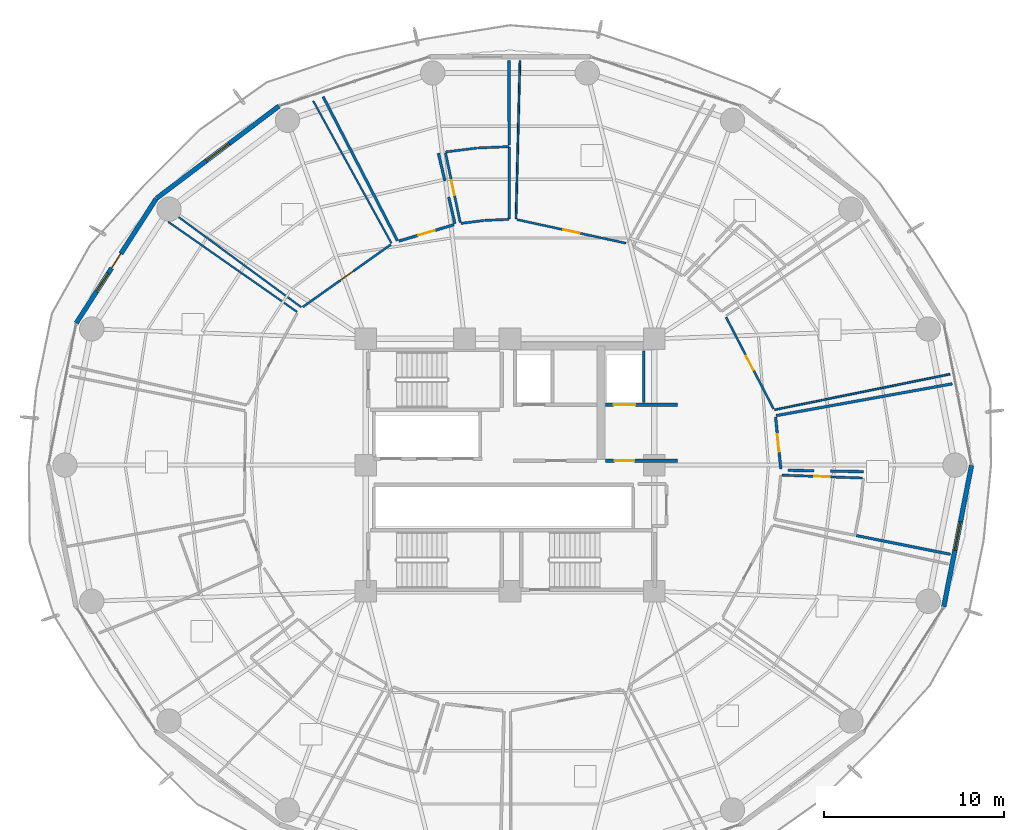
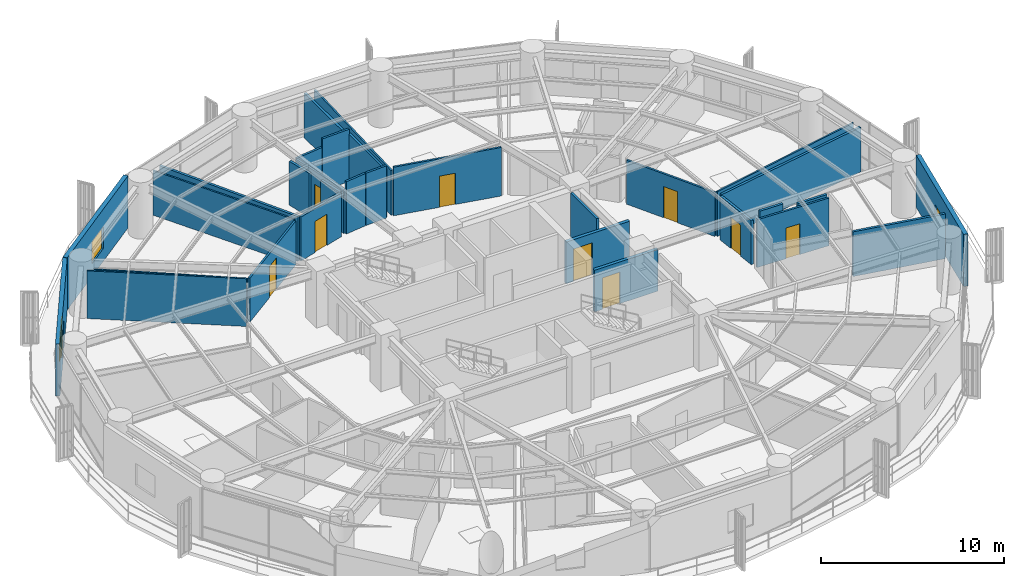
# One storey, part 31 of 35: 31 walls, 10 doors, 3 windows, 13 openings.
"""IFC4 building model written with IfcOpenShell, lengths in metres."""

from ifc_helpers import new_model, si_unit, direction, frame, frame_2d, origin, place, context, subcontext, project, spatial, rectangle, extrude, material, layer, layer_set, type_object, element, fill, save


model = new_model("IFC4")

# Units and contexts
model_context = context("Model", 3, precision=1e-05, world=origin(), true_north=direction((0.0, 1.0)))
body_context = subcontext(model_context, "Body", "Model", "MODEL_VIEW")
ifc_project = project(units=[si_unit("LENGTHUNIT", "METRE"), si_unit("AREAUNIT", "SQUARE_METRE"), si_unit("VOLUMEUNIT", "CUBIC_METRE"), si_unit("PLANEANGLEUNIT", "RADIAN"), si_unit("MASSUNIT", "GRAM", prefix="KILO")], contexts=[model_context])

# Site, building, storey
site_placement = place(None, origin())
site = spatial("IfcSite", under=ifc_project, at=site_placement, CompositionType="ELEMENT")
building_placement = place(site_placement, origin())
building = spatial("IfcBuilding", under=site, at=building_placement, Name="Kelanora Arch Commons", CompositionType="ELEMENT")
storey_placement = place(building_placement, frame((0.0, 0.0, 121.35009765625)))
storey = spatial("IfcBuildingStorey", under=building, at=storey_placement, Name="L31", CompositionType="ELEMENT", Elevation=121.35009765625)

# Wall
ifc_material_1 = material(Name="Autoclaved aerated concrete blockwork with fire plaster", Category="masonry")
ifc_layer_1 = layer(ifc_material_1, 0.14990234375)
ifc_layer_set_1 = layer_set([ifc_layer_1], Name="Autoclaved aerated concrete blockwork with fire plaster")
wall_type_1 = type_object("IfcWallType", Name="W-COMP-150", PredefinedType="PARTITIONING", material=ifc_layer_set_1)
wall_1_placement = place(storey_placement, frame((81.419921875, 61.47998046875, 0.0), z_axis=(0.0, 0.0, 1.0), x_axis=(0.0, 1.0, 0.0)))
element("IfcWall", 1, at=wall_1_placement, inside=storey, type_object=wall_type_1, Name="Firefighting Lift 2 East Shaft Wall L31", PredefinedType="PARTITIONING", context=body_context, shape_type="SweptSolid", body=[
    extrude(rectangle(XDim=2.840087890625, YDim=0.14990234375, at=frame_2d((1.419921875, 0.0))), origin(), (0.0, 0.0, 1.0), 3.47998046875),
])

# Wall, opening, door
wall_2_placement = place(storey_placement, frame((70.900390625, 71.3310546875, 0.0), z_axis=(0.0, 0.0, 1.0), x_axis=(-0.958905255717, -0.283726471373, 0.0)))
wall_2 = element("IfcWall", 2, at=wall_2_placement, inside=storey, type_object=wall_type_1, Name="Co-Living Studio L31-03 Entry Partition", PredefinedType="PARTITIONING", context=body_context, shape_type="SweptSolid", body=[
    extrude(rectangle(XDim=3.193115234375, YDim=0.14990234375, at=frame_2d((1.5966796875, 0.0))), origin(), (0.0, 0.0, 1.0), 2.9248046875),
])
opening_1_placement = place(wall_2_placement, frame((1.1220703125, 0.0, 0.0)))
opening_1 = element("IfcOpeningElement", 3, at=opening_1_placement, cuts=wall_2, Name="Opening D-CLU1", PredefinedType="OPENING", context=body_context, shape_type="SweptSolid", body=[
    extrude(rectangle(XDim=0.949951171875, YDim=2.080078125, at=frame_2d((0.47509765625, 1.0400390625))), frame((0.0, 0.0849609375, 0.0), z_axis=(0.0, -1.0, 0.0), x_axis=(1.0, 0.0, 0.0)), (0.0, 0.0, 1.0), 0.169921875),
])
ifc_material_2 = material(Name="Solid-core acoustic timber cluster entry fire door", Category="wood")
door_type_1 = type_object("IfcDoorType", Name="D-CLU-95", OperationType="NOTDEFINED", PredefinedType="DOOR", material=ifc_material_2)
door_1_placement = place(opening_1_placement, origin())
door_1 = element("IfcDoor", 4, at=door_1_placement, inside=storey, type_object=door_type_1, Name="Co-Living Studio L31-03 Door", OperationType="SINGLE_SWING_RIGHT", OverallHeight=2.080078125, OverallWidth=0.949951171875, PredefinedType="DOOR", context=body_context, shape_type="SweptSolid", body=[
    extrude(rectangle(XDim=0.949951171875, YDim=2.080078125, at=frame_2d((0.47509765625, 1.0400390625))), frame((0.0, 0.02490234375, 0.0), z_axis=(0.0, -1.0, 0.0), x_axis=(1.0, 0.0, 0.0)), (0.0, 0.0, 1.0), 0.050048828125),
])
fill(opening_1, door_1)

wall_3_placement = place(storey_placement, frame((89.02099609375, 57.77880859375, 0.0), z_axis=(0.0, 0.0, 1.0), x_axis=(-0.099902017985, 0.994997279797, 0.0)))
wall_3 = element("IfcWall", 5, at=wall_3_placement, inside=storey, type_object=wall_type_1, Name="Co-Living Studio L31-13 Entry Partition", PredefinedType="PARTITIONING", context=body_context, shape_type="SweptSolid", body=[
    extrude(rectangle(XDim=2.9130859375, YDim=0.14990234375, at=frame_2d((1.45654296875, 0.0))), origin(), (0.0, 0.0, 1.0), 2.9248046875),
])
opening_2_placement = place(wall_3_placement, frame((0.98193359375, 0.0, 0.0)))
opening_2 = element("IfcOpeningElement", 6, at=opening_2_placement, cuts=wall_3, Name="Opening D-CLU1", PredefinedType="OPENING", context=body_context, shape_type="SweptSolid", body=[
    extrude(rectangle(XDim=0.949951171875, YDim=2.080078125, at=frame_2d((0.47509765625, 1.0400390625))), frame((0.0, 0.0849609375, 0.0), z_axis=(0.0, -1.0, 0.0), x_axis=(1.0, 0.0, 0.0)), (0.0, 0.0, 1.0), 0.169921875),
])
door_2_placement = place(opening_2_placement, origin())
door_2 = element("IfcDoor", 7, at=door_2_placement, inside=storey, type_object=door_type_1, Name="Co-Living Studio L31-13 Door", OperationType="SINGLE_SWING_RIGHT", OverallHeight=2.080078125, OverallWidth=0.949951171875, PredefinedType="DOOR", context=body_context, shape_type="SweptSolid", body=[
    extrude(rectangle(XDim=0.949951171875, YDim=2.080078125, at=frame_2d((0.47509765625, 1.0400390625))), frame((0.0, 0.02490234375, 0.0), z_axis=(0.0, -1.0, 0.0), x_axis=(1.0, 0.0, 0.0)), (0.0, 0.0, 1.0), 0.050048828125),
])
fill(opening_2, door_2)

# Walls
wall_4_placement = place(storey_placement, frame((67.7626953125, 70.443603515625, 0.0), z_axis=(0.0, 0.0, 1.0), x_axis=(-0.458694817529, 0.888593869196, 0.0)))
element("IfcWall", 8, at=wall_4_placement, inside=storey, type_object=wall_type_1, Name="Co-Living Studio L31-03 Enclosure Partition 2", PredefinedType="PARTITIONING", context=body_context, shape_type="SweptSolid", body=[
    extrude(rectangle(XDim=8.987060546875, YDim=0.14990234375, at=frame_2d((4.49365234375, 0.0))), origin(), (0.0, 0.0, 1.0), 2.974853515625),
])
wall_5_placement = place(storey_placement, frame((73.944091796875, 80.43994140625, 0.0), z_axis=(0.0, 0.0, 1.0), x_axis=(0.002493887397, -0.999996890258, 0.0)))
element("IfcWall", 9, at=wall_5_placement, inside=storey, type_object=wall_type_1, Name="Co-Living Studio L31-03 Enclosure Partition 5", PredefinedType="PARTITIONING", context=body_context, shape_type="SweptSolid", body=[
    extrude(rectangle(XDim=4.698974609375, YDim=0.14990234375, at=frame_2d((2.349609375, 0.0))), origin(), (0.0, 0.0, 1.0), 2.974853515625),
])
wall_6_placement = place(storey_placement, frame((70.031005859375, 75.296142578125, 0.0), z_axis=(0.0, 0.0, 1.0), x_axis=(0.228651551475, -0.973508329707, 0.0)))
element("IfcWall", 10, at=wall_6_placement, inside=storey, type_object=wall_type_1, Name="Co-Living Studio L31-03 Enclosure Partition 7", PredefinedType="PARTITIONING", context=body_context, shape_type="SweptSolid", body=[
    extrude(rectangle(XDim=1.5791015625, YDim=0.14990234375, at=frame_2d((0.78955078125, 0.0))), origin(), (0.0, 0.0, 1.0), 2.9248046875),
])
wall_7_placement = place(storey_placement, frame((70.602294921875, 72.86279296875, 0.0), z_axis=(0.0, 0.0, 1.0), x_axis=(0.228680272693, -0.973501583399, 0.0)))
element("IfcWall", 11, at=wall_7_placement, inside=storey, type_object=wall_type_1, Name="Co-Living Studio L31-03 Enclosure Partition 7", PredefinedType="PARTITIONING", context=body_context, shape_type="SweptSolid", body=[
    extrude(rectangle(XDim=1.51611328125, YDim=0.14990234375, at=frame_2d((0.758056640625, 0.0))), origin(), (0.0, 0.0, 1.0), 2.9248046875),
])
wall_8_placement = place(storey_placement, frame((88.763427734375, 60.744140625, 0.0), z_axis=(0.0, 0.0, 1.0), x_axis=(0.984081766615, 0.177716281237, 0.0)))
element("IfcWall", 12, at=wall_8_placement, inside=storey, type_object=wall_type_1, Name="Co-Living Studio L31-13 Enclosure Partition 2", PredefinedType="PARTITIONING", context=body_context, shape_type="SweptSolid", body=[
    extrude(rectangle(XDim=9.924072265625, YDim=0.14990234375, at=frame_2d((4.9619140625, 0.0))), origin(), (0.0, 0.0, 1.0), 2.974853515625),
])
wall_9_placement = place(storey_placement, frame((98.4248046875, 53.0546875, 0.0), z_axis=(0.0, 0.0, 1.0), x_axis=(-0.980779700981, 0.195118369572, 0.0)))
element("IfcWall", 13, at=wall_9_placement, inside=storey, type_object=wall_type_1, Name="Co-Living Studio L31-13 Enclosure Partition 5", PredefinedType="PARTITIONING", context=body_context, shape_type="SweptSolid", body=[
    extrude(rectangle(XDim=5.31787109375, YDim=0.14990234375, at=frame_2d((2.658935546875, 0.0))), origin(), (0.0, 0.0, 1.0), 2.974853515625),
])
wall_10_placement = place(storey_placement, frame((93.60888671875, 57.6357421875, 0.0), z_axis=(0.0, 0.0, 1.0), x_axis=(-0.999835456222, 0.018140024286, 0.0)))
element("IfcWall", 14, at=wall_10_placement, inside=storey, type_object=wall_type_1, Name="Co-Living Studio L31-13 Enclosure Partition 7", PredefinedType="PARTITIONING", context=body_context, shape_type="SweptSolid", body=[
    extrude(rectangle(XDim=1.830322265625, YDim=0.14990234375, at=frame_2d((0.9150390625, 0.0))), origin(), (0.0, 0.0, 1.0), 3.1748046875),
])
wall_11_placement = place(storey_placement, frame((90.85888671875, 57.685791015625, 0.0), z_axis=(0.0, 0.0, 1.0), x_axis=(-0.999835980019, 0.018111130838, 0.0)))
element("IfcWall", 15, at=wall_11_placement, inside=storey, type_object=wall_type_1, Name="Co-Living Studio L31-13 Enclosure Partition 7", PredefinedType="PARTITIONING", context=body_context, shape_type="SweptSolid", body=[
    extrude(rectangle(XDim=1.4423828125, YDim=0.14990234375, at=frame_2d((0.72119140625, 0.0))), origin(), (0.0, 0.0, 1.0), 3.47998046875),
])

# Wall, opening, window
ifc_material_3 = material(Name="Precast concrete C40/50 with terracotta rainscreen", Category="masonry")
ifc_layer_2 = layer(ifc_material_3, 0.260009765625)
ifc_layer_set_2 = layer_set([ifc_layer_2], Name="Precast concrete C40/50 with terracotta rainscreen")
wall_type_2 = type_object("IfcWallType", Name="W-EXT-TC", PredefinedType="SOLIDWALL", material=ifc_layer_set_2)
wall_12_placement = place(storey_placement, frame((61.18798828125, 77.90966796875, 0.0), z_axis=(0.0, 0.0, 1.0), x_axis=(-0.798501507879, -0.601992808857, 0.0)))
wall_12 = element("IfcWall", 16, at=wall_12_placement, inside=storey, type_object=wall_type_2, Name="Terracotta Exterior Wall L31-B06", PredefinedType="SOLIDWALL", context=body_context, shape_type="SweptSolid", body=[
    extrude(rectangle(XDim=8.499267578125, YDim=0.260009765625, at=frame_2d((4.24951171875, 0.0))), origin(), (0.0, 0.0, 1.0), 3.474853515625),
])
opening_3_placement = place(wall_12_placement, frame((3.449951171875, 0.0, 0.85009765625)))
opening_3 = element("IfcOpeningElement", 17, at=opening_3_placement, cuts=wall_12, Name="Opening WN-01", PredefinedType="OPENING", context=body_context, shape_type="SweptSolid", body=[
    extrude(rectangle(XDim=1.60009765625, YDim=1.449951171875, at=frame_2d((0.800048828125, 0.72509765625))), frame((0.0, 0.14013671875, 0.0), z_axis=(0.0, -1.0, 0.0), x_axis=(1.0, 0.0, 0.0)), (0.0, 0.0, 1.0), 0.280029296875),
])
ifc_material_4 = material(Name="Terracotta-anodised aluminium frame with operable low-E glazing", Category="masonry")
window_type_1 = type_object("IfcWindowType", Name="WIN-CL-18", PartitioningType="DOUBLE_PANEL_VERTICAL", PredefinedType="WINDOW", material=ifc_material_4)
window_1_placement = place(opening_3_placement, origin())
window_1 = element("IfcWindow", 18, at=window_1_placement, inside=storey, type_object=window_type_1, Name="Co-Living Operable Window L31-B06", OverallHeight=1.449951171875, OverallWidth=1.60009765625, PartitioningType="SINGLE_PANEL", PredefinedType="WINDOW", context=body_context, shape_type="SweptSolid", body=[
    extrude(rectangle(XDim=1.60009765625, YDim=1.449951171875, at=frame_2d((0.800048828125, 0.72509765625))), frame((0.0, 0.030029296875, 0.0), z_axis=(0.0, -1.0, 0.0), x_axis=(1.0, 0.0, 0.0)), (0.0, 0.0, 1.0), 0.06005859375),
])
fill(opening_3, window_1)

# Wall, openings, door, window
wall_13_placement = place(storey_placement, frame((54.381103515625, 72.771484375, 0.0), z_axis=(0.0, 0.0, 1.0), x_axis=(-0.540620528459, -0.841266571432, 0.0)))
wall_13 = element("IfcWall", 19, at=wall_13_placement, inside=storey, type_object=wall_type_2, Name="Terracotta Exterior Wall L31-B07", PredefinedType="SOLIDWALL", context=body_context, shape_type="SweptSolid", body=[
    extrude(rectangle(XDim=8.19287109375, YDim=0.260009765625, at=frame_2d((4.096435546875, 0.0))), origin(), (0.0, 0.0, 1.0), 3.474853515625),
])
opening_4_placement = place(wall_13_placement, frame((3.62109375, 0.0, 0.0)))
opening_4 = element("IfcOpeningElement", 20, at=opening_4_placement, cuts=wall_13, Name="Opening DB-01", PredefinedType="OPENING", context=body_context, shape_type="SweptSolid", body=[
    extrude(rectangle(XDim=0.949951171875, YDim=2.10009765625, at=frame_2d((0.47509765625, 1.050048828125))), frame((0.0, 0.14013671875, 0.0), z_axis=(0.0, -1.0, 0.0), x_axis=(1.0, 0.0, 0.0)), (0.0, 0.0, 1.0), 0.280029296875),
])
opening_5_placement = place(wall_13_placement, frame((4.9208984375, 0.0, 0.85009765625)))
opening_5 = element("IfcOpeningElement", 21, at=opening_5_placement, cuts=wall_13, Name="Opening WN-02", PredefinedType="OPENING", context=body_context, shape_type="SweptSolid", body=[
    extrude(rectangle(XDim=1.199951171875, YDim=1.449951171875, at=frame_2d((0.60009765625, 0.72509765625))), frame((0.0, 0.14013671875, 0.0), z_axis=(0.0, -1.0, 0.0), x_axis=(1.0, 0.0, 0.0)), (0.0, 0.0, 1.0), 0.280029296875),
])
ifc_material_5 = material(Name="Terracotta-aluminium thermally broken glazed balcony door", Category="masonry")
door_type_2 = type_object("IfcDoorType", Name="D-BAL-10", OperationType="NOTDEFINED", PredefinedType="DOOR", material=ifc_material_5)
door_3_placement = place(opening_4_placement, frame((0.949951171875, 0.0, 0.0), z_axis=(0.0, 0.0, 1.0), x_axis=(-1.0, 0.0, 0.0)))
door_3 = element("IfcDoor", 22, at=door_3_placement, inside=storey, type_object=door_type_2, Name="Wave Balcony Door L31-B07", OperationType="SINGLE_SWING_LEFT", OverallHeight=2.10009765625, OverallWidth=0.949951171875, PredefinedType="DOOR", context=body_context, shape_type="SweptSolid", body=[
    extrude(rectangle(XDim=0.949951171875, YDim=2.10009765625, at=frame_2d((0.47509765625, 1.050048828125))), frame((0.0, 0.02490234375, 0.0), z_axis=(0.0, -1.0, 0.0), x_axis=(1.0, 0.0, 0.0)), (0.0, 0.0, 1.0), 0.050048828125),
])
fill(opening_4, door_3)
ifc_material_6 = material(Name="Terracotta-anodised aluminium frame with operable awning sash", Category="masonry")
window_type_2 = type_object("IfcWindowType", Name="WIN-CL-12", PartitioningType="SINGLE_PANEL", PredefinedType="WINDOW", material=ifc_material_6)
window_2_placement = place(opening_5_placement, origin())
window_2 = element("IfcWindow", 23, at=window_2_placement, inside=storey, type_object=window_type_2, Name="Co-Living Operable Window L31-B07", OverallHeight=1.449951171875, OverallWidth=1.199951171875, PartitioningType="SINGLE_PANEL", PredefinedType="WINDOW", context=body_context, shape_type="SweptSolid", body=[
    extrude(rectangle(XDim=1.199951171875, YDim=1.449951171875, at=frame_2d((0.60009765625, 0.72509765625))), frame((0.0, 0.030029296875, 0.0), z_axis=(0.0, -1.0, 0.0), x_axis=(1.0, 0.0, 0.0)), (0.0, 0.0, 1.0), 0.06005859375),
])
fill(opening_5, window_2)

# Wall, opening, window
wall_14_placement = place(storey_placement, frame((98.05908203125, 50.148193359375, 0.0), z_axis=(0.0, 0.0, 1.0), x_axis=(0.192581843632, 0.981280914674, 0.0)))
wall_14 = element("IfcWall", 24, at=wall_14_placement, inside=storey, type_object=wall_type_2, Name="Terracotta Exterior Wall L31-B17", PredefinedType="SOLIDWALL", context=body_context, shape_type="SweptSolid", body=[
    extrude(rectangle(XDim=7.986572265625, YDim=0.260009765625, at=frame_2d((3.9931640625, 0.0))), origin(), (0.0, 0.0, 1.0), 3.474853515625),
])
opening_6_placement = place(wall_14_placement, frame((3.193115234375, 0.0, 0.85009765625)))
opening_6 = element("IfcOpeningElement", 25, at=opening_6_placement, cuts=wall_14, Name="Opening WN-01", PredefinedType="OPENING", context=body_context, shape_type="SweptSolid", body=[
    extrude(rectangle(XDim=1.60009765625, YDim=1.449951171875, at=frame_2d((0.800048828125, 0.72509765625))), frame((0.0, 0.14013671875, 0.0), z_axis=(0.0, -1.0, 0.0), x_axis=(1.0, 0.0, 0.0)), (0.0, 0.0, 1.0), 0.280029296875),
])
window_3_placement = place(opening_6_placement, origin())
window_3 = element("IfcWindow", 26, at=window_3_placement, inside=storey, type_object=window_type_1, Name="Co-Living Operable Window L31-B17", OverallHeight=1.449951171875, OverallWidth=1.60009765625, PartitioningType="SINGLE_PANEL", PredefinedType="WINDOW", context=body_context, shape_type="SweptSolid", body=[
    extrude(rectangle(XDim=1.60009765625, YDim=1.449951171875, at=frame_2d((0.800048828125, 0.72509765625))), frame((0.0, 0.030029296875, 0.0), z_axis=(0.0, -1.0, 0.0), x_axis=(1.0, 0.0, 0.0)), (0.0, 0.0, 1.0), 0.06005859375),
])
fill(opening_6, window_3)

# Wall, opening, door
ifc_material_7 = material(Name="Concrete C40/50", Category="concrete")
ifc_layer_3 = layer(ifc_material_7, 0.199951171875)
ifc_layer_set_3 = layer_set([ifc_layer_3], Name="Concrete C40/50")
wall_type_3 = type_object("IfcWallType", Name="W-FFL-200", PredefinedType="SOLIDWALL", material=ifc_layer_set_3)
wall_15_placement = place(storey_placement, frame((79.300048828125, 61.35009765625, 0.0), z_axis=(0.0, 0.0, 1.0), x_axis=(1.0, 0.0, 0.0)))
wall_15 = element("IfcWall", 27, at=wall_15_placement, inside=storey, type_object=wall_type_3, Name="Firefighting Lift 2 Shaft Front L31", PredefinedType="SOLIDWALL", context=body_context, shape_type="SweptSolid", body=[
    extrude(rectangle(XDim=4.0, YDim=0.199951171875, at=frame_2d((2.0, 0.0))), origin(), (0.0, 0.0, 1.0), 2.77490234375),
])
opening_7_placement = place(wall_15_placement, frame((0.449951171875, 0.0, 0.0)))
opening_7 = element("IfcOpeningElement", 28, at=opening_7_placement, cuts=wall_15, Name="Opening LD-FF", PredefinedType="OPENING", context=body_context, shape_type="SweptSolid", body=[
    extrude(rectangle(XDim=1.199951171875, YDim=2.14990234375, at=frame_2d((0.60009765625, 1.074951171875))), frame((0.0, 0.10986328125, 0.0), z_axis=(0.0, -1.0, 0.0), x_axis=(1.0, 0.0, 0.0)), (0.0, 0.0, 1.0), 0.219970703125),
])
ifc_material_8 = material(Name="Fire-rated firefighters lift sliding landing door")
door_type_3 = type_object("IfcDoorType", Name="D-LIFT-FF", OperationType="NOTDEFINED", PredefinedType="DOOR", material=ifc_material_8)
door_4_placement = place(opening_7_placement, origin())
door_4 = element("IfcDoor", 29, at=door_4_placement, inside=storey, type_object=door_type_3, Name="Firefighting Lift LF-FF2 Landing Door L31", OperationType="DOUBLE_DOOR_SLIDING", OverallHeight=2.14990234375, OverallWidth=1.199951171875, PredefinedType="DOOR", context=body_context, shape_type="SweptSolid", body=[
    extrude(rectangle(XDim=1.199951171875, YDim=2.14990234375, at=frame_2d((0.60009765625, 1.074951171875))), frame((0.0, 0.02490234375, 0.0), z_axis=(0.0, -1.0, 0.0), x_axis=(1.0, 0.0, 0.0)), (0.0, 0.0, 1.0), 0.050048828125),
])
fill(opening_7, door_4)

wall_16_placement = place(storey_placement, frame((79.300048828125, 58.25, 0.0), z_axis=(0.0, 0.0, 1.0), x_axis=(1.0, 0.0, 0.0)))
wall_16 = element("IfcWall", 30, at=wall_16_placement, inside=storey, type_object=wall_type_3, Name="Firefighting Lobby 2 Enclosure Wall L31", PredefinedType="SOLIDWALL", context=body_context, shape_type="SweptSolid", body=[
    extrude(rectangle(XDim=4.0, YDim=0.199951171875, at=frame_2d((2.0, 0.0))), origin(), (0.0, 0.0, 1.0), 2.77490234375),
])
opening_8_placement = place(wall_16_placement, frame((0.5, 0.0, 0.0)))
opening_8 = element("IfcOpeningElement", 31, at=opening_8_placement, cuts=wall_16, Name="Opening D-FFL1", PredefinedType="OPENING", context=body_context, shape_type="SweptSolid", body=[
    extrude(rectangle(XDim=1.10009765625, YDim=2.10009765625, at=frame_2d((0.550048828125, 1.050048828125))), frame((0.0, 0.10986328125, 0.0), z_axis=(0.0, -1.0, 0.0), x_axis=(1.0, 0.0, 0.0)), (0.0, 0.0, 1.0), 0.219970703125),
])
ifc_material_9 = material(Name="Smoke-sealed firefighting lobby fire door")
door_type_4 = type_object("IfcDoorType", Name="D-FFL-110", OperationType="NOTDEFINED", PredefinedType="DOOR", material=ifc_material_9)
door_5_placement = place(opening_8_placement, frame((1.10009765625, 0.0, 0.0), z_axis=(0.0, 0.0, 1.0), x_axis=(-1.0, 0.0, 0.0)))
door_5 = element("IfcDoor", 32, at=door_5_placement, inside=storey, type_object=door_type_4, Name="Firefighting Lobby 2 Door L31", OperationType="SINGLE_SWING_RIGHT", OverallHeight=2.10009765625, OverallWidth=1.10009765625, PredefinedType="DOOR", context=body_context, shape_type="SweptSolid", body=[
    extrude(rectangle(XDim=1.10009765625, YDim=2.10009765625, at=frame_2d((0.550048828125, 1.050048828125))), frame((0.0, 0.02490234375, 0.0), z_axis=(0.0, -1.0, 0.0), x_axis=(1.0, 0.0, 0.0)), (0.0, 0.0, 1.0), 0.050048828125),
])
fill(opening_8, door_5)

# Walls
ifc_material_10 = material(Name="Lightweight fire-rated acoustic stud partition")
ifc_layer_4 = layer(ifc_material_10, 0.10009765625)
ifc_layer_set_4 = layer_set([ifc_layer_4], Name="Lightweight fire-rated acoustic stud partition")
wall_type_4 = type_object("IfcWallType", Name="W-PART-100", PredefinedType="PARTITIONING", material=ifc_layer_set_4)
wall_17_placement = place(storey_placement, frame((74.333984375, 71.6669921875, 0.0), z_axis=(0.0, 0.0, 1.0), x_axis=(0.025193894125, 0.999682583473, 0.0)))
element("IfcWall", 33, at=wall_17_placement, inside=storey, type_object=wall_type_4, Name="Communal Dining and Social Hall L31-02 Enclosure Partition 2", PredefinedType="PARTITIONING", context=body_context, shape_type="SweptSolid", body=[
    extrude(rectangle(XDim=8.769775390625, YDim=0.10009765625, at=frame_2d((4.384765625, 0.0))), origin(), (0.0, 0.0, 1.0), 2.974853515625),
])
wall_18_placement = place(storey_placement, frame((62.427734375, 66.756591796875, 0.0), z_axis=(0.0, 0.0, 1.0), x_axis=(-0.805852200235, 0.592116737963, 0.0)))
element("IfcWall", 34, at=wall_18_placement, inside=storey, type_object=wall_type_4, Name="Social Sky Lounge L31-04 Enclosure Partition 2", PredefinedType="PARTITIONING", context=body_context, shape_type="SweptSolid", body=[
    extrude(rectangle(XDim=8.429931640625, YDim=0.10009765625, at=frame_2d((4.21484375, 0.0))), origin(), (0.0, 0.0, 1.0), 2.9248046875),
])
wall_19_placement = place(storey_placement, frame((63.08740234375, 78.197021484375, 0.0), z_axis=(0.0, 0.0, 1.0), x_axis=(0.481837612944, -0.876260529039, 0.0)))
element("IfcWall", 35, at=wall_19_placement, inside=storey, type_object=wall_type_4, Name="Social Sky Lounge L31-04 Enclosure Partition 4", PredefinedType="PARTITIONING", context=body_context, shape_type="SweptSolid", body=[
    extrude(rectangle(XDim=9.010009765625, YDim=0.10009765625, at=frame_2d((4.5048828125, 0.0))), origin(), (0.0, 0.0, 1.0), 2.974853515625),
])
wall_20_placement = place(storey_placement, frame((55.04736328125, 71.494384765625, 0.0), z_axis=(0.0, 0.0, 1.0), x_axis=(0.8195552972, -0.573000100201, 0.0)))
element("IfcWall", 36, at=wall_20_placement, inside=storey, type_object=wall_type_4, Name="Quiet Seminar Study Room L31-05 Enclosure Partition 4", PredefinedType="PARTITIONING", context=body_context, shape_type="SweptSolid", body=[
    extrude(rectangle(XDim=8.7216796875, YDim=0.10009765625, at=frame_2d((4.36083984375, 0.0))), origin(), (0.0, 0.0, 1.0), 3.1748046875),
])
wall_21_placement = place(storey_placement, frame((98.39990234375, 63.04296875, 0.0), z_axis=(0.0, 0.0, 1.0), x_axis=(-0.980013960975, -0.198928721641, 0.0)))
element("IfcWall", 37, at=wall_21_placement, inside=storey, type_object=wall_type_4, Name="Communal Dining and Social Hall L31-14 Enclosure Partition 4", PredefinedType="PARTITIONING", context=body_context, shape_type="SweptSolid", body=[
    extrude(rectangle(XDim=9.91259765625, YDim=0.10009765625, at=frame_2d((4.956298828125, 0.0))), origin(), (0.0, 0.0, 1.0), 2.974853515625),
])

# Wall, opening, door
ifc_material_11 = material(Name="Acoustic twin-stud fire-rated gypsum partition")
ifc_layer_5 = layer(ifc_material_11, 0.1201171875)
ifc_layer_set_5 = layer_set([ifc_layer_5], Name="Acoustic twin-stud fire-rated gypsum partition")
wall_type_5 = type_object("IfcWallType", Name="W-PART-120", PredefinedType="PARTITIONING", material=ifc_layer_set_5)
wall_22_placement = place(storey_placement, frame((80.432373046875, 70.3056640625, 0.0), z_axis=(0.0, 0.0, 1.0), x_axis=(-0.977331177519, 0.211716247484, 0.0)))
wall_22 = element("IfcWall", 38, at=wall_22_placement, inside=storey, type_object=wall_type_5, Name="Communal Dining and Social Hall L31-02 Entry Partition", PredefinedType="PARTITIONING", context=body_context, shape_type="SweptSolid", body=[
    extrude(rectangle(XDim=6.180908203125, YDim=0.1201171875, at=frame_2d((3.09033203125, 0.0))), origin(), (0.0, 0.0, 1.0), 3.23486328125),
])
opening_9_placement = place(wall_22_placement, frame((2.639892578125, 0.0, 0.0)))
opening_9 = element("IfcOpeningElement", 39, at=opening_9_placement, cuts=wall_22, Name="Opening D-RM1", PredefinedType="OPENING", context=body_context, shape_type="SweptSolid", body=[
    extrude(rectangle(XDim=0.89990234375, YDim=2.080078125, at=frame_2d((0.449951171875, 1.0400390625))), frame((0.0, 0.070068359375, 0.0), z_axis=(0.0, -1.0, 0.0), x_axis=(1.0, 0.0, 0.0)), (0.0, 0.0, 1.0), 0.14013671875),
])
ifc_material_12 = material(Name="Acoustic fire-rated timber study and lounge door", Category="wood")
door_type_5 = type_object("IfcDoorType", Name="D-ROOM-90", OperationType="NOTDEFINED", PredefinedType="DOOR", material=ifc_material_12)
door_6_placement = place(opening_9_placement, origin())
door_6 = element("IfcDoor", 40, at=door_6_placement, inside=storey, type_object=door_type_5, Name="Communal Dining and Social Hall L31-02 Door", OperationType="SINGLE_SWING_RIGHT", OverallHeight=2.080078125, OverallWidth=0.89990234375, PredefinedType="DOOR", context=body_context, shape_type="SweptSolid", body=[
    extrude(rectangle(XDim=0.89990234375, YDim=2.080078125, at=frame_2d((0.449951171875, 1.0400390625))), frame((0.0, 0.02490234375, 0.0), z_axis=(0.0, -1.0, 0.0), x_axis=(1.0, 0.0, 0.0)), (0.0, 0.0, 1.0), 0.050048828125),
])
fill(opening_9, door_6)

wall_23_placement = place(storey_placement, frame((67.39892578125, 70.232421875, 0.0), z_axis=(0.0, 0.0, 1.0), x_axis=(-0.815932399176, -0.578147316846, 0.0)))
wall_23 = element("IfcWall", 41, at=wall_23_placement, inside=storey, type_object=wall_type_5, Name="Social Sky Lounge L31-04 Entry Partition", PredefinedType="PARTITIONING", context=body_context, shape_type="SweptSolid", body=[
    extrude(rectangle(XDim=5.992919921875, YDim=0.1201171875, at=frame_2d((2.99658203125, 0.0))), origin(), (0.0, 0.0, 1.0), 2.9248046875),
])
opening_10_placement = place(wall_23_placement, frame((2.5458984375, 0.0, 0.0)))
opening_10 = element("IfcOpeningElement", 42, at=opening_10_placement, cuts=wall_23, Name="Opening D-RM1", PredefinedType="OPENING", context=body_context, shape_type="SweptSolid", body=[
    extrude(rectangle(XDim=0.89990234375, YDim=2.080078125, at=frame_2d((0.449951171875, 1.0400390625))), frame((0.0, 0.070068359375, 0.0), z_axis=(0.0, -1.0, 0.0), x_axis=(1.0, 0.0, 0.0)), (0.0, 0.0, 1.0), 0.14013671875),
])
door_7_placement = place(opening_10_placement, origin())
door_7 = element("IfcDoor", 43, at=door_7_placement, inside=storey, type_object=door_type_5, Name="Social Sky Lounge L31-04 Door", OperationType="SINGLE_SWING_LEFT", OverallHeight=2.080078125, OverallWidth=0.89990234375, PredefinedType="DOOR", context=body_context, shape_type="SweptSolid", body=[
    extrude(rectangle(XDim=0.89990234375, YDim=2.080078125, at=frame_2d((0.449951171875, 1.0400390625))), frame((0.0, 0.02490234375, 0.0), z_axis=(0.0, -1.0, 0.0), x_axis=(1.0, 0.0, 0.0)), (0.0, 0.0, 1.0), 0.050048828125),
])
fill(opening_10, door_7)

wall_24_placement = place(storey_placement, frame((88.618408203125, 61.1162109375, 0.0), z_axis=(0.0, 0.0, 1.0), x_axis=(-0.459658120373, 0.88809594773, 0.0)))
wall_24 = element("IfcWall", 44, at=wall_24_placement, inside=storey, type_object=wall_type_5, Name="Communal Dining and Social Hall L31-14 Entry Partition", PredefinedType="PARTITIONING", context=body_context, shape_type="SweptSolid", body=[
    extrude(rectangle(XDim=5.73193359375, YDim=0.1201171875, at=frame_2d((2.865966796875, 0.0))), origin(), (0.0, 0.0, 1.0), 2.9248046875),
])
opening_11_placement = place(wall_24_placement, frame((2.416015625, 0.0, 0.0)))
opening_11 = element("IfcOpeningElement", 45, at=opening_11_placement, cuts=wall_24, Name="Opening D-RM1", PredefinedType="OPENING", context=body_context, shape_type="SweptSolid", body=[
    extrude(rectangle(XDim=0.89990234375, YDim=2.080078125, at=frame_2d((0.449951171875, 1.0400390625))), frame((0.0, 0.070068359375, 0.0), z_axis=(0.0, -1.0, 0.0), x_axis=(1.0, 0.0, 0.0)), (0.0, 0.0, 1.0), 0.14013671875),
])
door_8_placement = place(opening_11_placement, origin())
door_8 = element("IfcDoor", 46, at=door_8_placement, inside=storey, type_object=door_type_5, Name="Communal Dining and Social Hall L31-14 Door", OperationType="SINGLE_SWING_LEFT", OverallHeight=2.080078125, OverallWidth=0.89990234375, PredefinedType="DOOR", context=body_context, shape_type="SweptSolid", body=[
    extrude(rectangle(XDim=0.89990234375, YDim=2.080078125, at=frame_2d((0.449951171875, 1.0400390625))), frame((0.0, 0.02490234375, 0.0), z_axis=(0.0, -1.0, 0.0), x_axis=(1.0, 0.0, 0.0)), (0.0, 0.0, 1.0), 0.050048828125),
])
fill(opening_11, door_8)

ifc_material_13 = material(Name="Moisture-resistant fire-rated cement-board plumbing wall")
ifc_layer_6 = layer(ifc_material_13, 0.1298828125)
ifc_layer_set_6 = layer_set([ifc_layer_6], Name="Moisture-resistant fire-rated cement-board plumbing wall")
wall_type_6 = type_object("IfcWallType", Name="W-WET-120", PredefinedType="PLUMBINGWALL", material=ifc_layer_set_6)
wall_25_placement = place(storey_placement, frame((71.24169921875, 71.459716796875, 0.0), z_axis=(0.0, 0.0, 1.0), x_axis=(-0.206652168131, 0.97841447322, 0.0)))
wall_25 = element("IfcWall", 47, at=wall_25_placement, inside=storey, type_object=wall_type_6, Name="En-Suite Shower WC L31-03 Entry Partition", PredefinedType="PLUMBINGWALL", context=body_context, shape_type="SweptSolid", body=[
    extrude(rectangle(XDim=3.9306640625, YDim=0.1298828125, at=frame_2d((1.96533203125, 0.0))), origin(), (0.0, 0.0, 1.0), 2.9248046875),
])
opening_12_placement = place(wall_25_placement, frame((1.534912109375, 0.0, 0.0)))
opening_12 = element("IfcOpeningElement", 48, at=opening_12_placement, cuts=wall_25, Name="Opening D-BT1", PredefinedType="OPENING", context=body_context, shape_type="SweptSolid", body=[
    extrude(rectangle(XDim=0.860107421875, YDim=2.050048828125, at=frame_2d((0.43017578125, 1.02490234375))), frame((0.0, 0.074951171875, 0.0), z_axis=(0.0, -1.0, 0.0), x_axis=(1.0, 0.0, 0.0)), (0.0, 0.0, 1.0), 0.14990234375),
])
ifc_material_14 = material(Name="Moisture-sealed fire-rated accessible bathroom door")
door_type_6 = type_object("IfcDoorType", Name="D-BATH-85", OperationType="NOTDEFINED", PredefinedType="DOOR", material=ifc_material_14)
door_9_placement = place(opening_12_placement, origin())
door_9 = element("IfcDoor", 49, at=door_9_placement, inside=storey, type_object=door_type_6, Name="En-Suite Shower WC L31-03 Door", OperationType="SINGLE_SWING_LEFT", OverallHeight=2.050048828125, OverallWidth=0.860107421875, PredefinedType="DOOR", context=body_context, shape_type="SweptSolid", body=[
    extrude(rectangle(XDim=0.860107421875, YDim=2.050048828125, at=frame_2d((0.43017578125, 1.02490234375))), frame((0.0, 0.02490234375, 0.0), z_axis=(0.0, -1.0, 0.0), x_axis=(1.0, 0.0, 0.0)), (0.0, 0.0, 1.0), 0.050048828125),
])
fill(opening_12, door_9)

wall_26_placement = place(storey_placement, frame((89.077880859375, 57.44384765625, 0.0), z_axis=(0.0, 0.0, 1.0), x_axis=(0.999359574241, -0.035783255492, 0.0)))
wall_26 = element("IfcWall", 50, at=wall_26_placement, inside=storey, type_object=wall_type_6, Name="En-Suite Shower WC L31-13 Entry Partition", PredefinedType="PLUMBINGWALL", context=body_context, shape_type="SweptSolid", body=[
    extrude(rectangle(XDim=4.462158203125, YDim=0.1298828125, at=frame_2d((2.23095703125, 0.0))), origin(), (0.0, 0.0, 1.0), 3.1748046875),
])
opening_13_placement = place(wall_26_placement, frame((1.801025390625, 0.0, 0.0)))
opening_13 = element("IfcOpeningElement", 51, at=opening_13_placement, cuts=wall_26, Name="Opening D-BT1", PredefinedType="OPENING", context=body_context, shape_type="SweptSolid", body=[
    extrude(rectangle(XDim=0.860107421875, YDim=2.050048828125, at=frame_2d((0.43017578125, 1.02490234375))), frame((0.0, 0.074951171875, 0.0), z_axis=(0.0, -1.0, 0.0), x_axis=(1.0, 0.0, 0.0)), (0.0, 0.0, 1.0), 0.14990234375),
])
door_10_placement = place(opening_13_placement, origin())
door_10 = element("IfcDoor", 52, at=door_10_placement, inside=storey, type_object=door_type_6, Name="En-Suite Shower WC L31-13 Door", OperationType="SINGLE_SWING_LEFT", OverallHeight=2.050048828125, OverallWidth=0.860107421875, PredefinedType="DOOR", context=body_context, shape_type="SweptSolid", body=[
    extrude(rectangle(XDim=0.860107421875, YDim=2.050048828125, at=frame_2d((0.43017578125, 1.02490234375))), frame((0.0, 0.02490234375, 0.0), z_axis=(0.0, -1.0, 0.0), x_axis=(1.0, 0.0, 0.0)), (0.0, 0.0, 1.0), 0.050048828125),
])
fill(opening_13, door_10)

# Walls
wall_27_placement = place(storey_placement, frame((73.946044921875, 71.629150390625, 0.0), z_axis=(0.0, 0.0, 1.0), x_axis=(-0.999067611154, -0.043173004803, 0.0)))
element("IfcWall", 53, at=wall_27_placement, inside=storey, type_object=wall_type_6, Name="En-Suite Shower WC L31-03 Enclosure Partition 1", PredefinedType="PLUMBINGWALL", context=body_context, shape_type="SweptSolid", body=[
    extrude(rectangle(XDim=1.3232421875, YDim=0.1298828125, at=frame_2d((0.66162109375, 0.0))), origin(), (0.0, 0.0, 1.0), 3.47998046875),
])
wall_28_placement = place(storey_placement, frame((72.584228515625, 71.568603515625, 0.0), z_axis=(0.0, 0.0, 1.0), x_axis=(-0.992163718395, -0.124944611333, 0.0)))
element("IfcWall", 54, at=wall_28_placement, inside=storey, type_object=wall_type_6, Name="En-Suite Shower WC L31-03 Enclosure Partition 2", PredefinedType="PLUMBINGWALL", context=body_context, shape_type="SweptSolid", body=[
    extrude(rectangle(XDim=1.32080078125, YDim=0.1298828125, at=frame_2d((0.660400390625, 0.0))), origin(), (0.0, 0.0, 1.0), 3.47998046875),
])
wall_29_placement = place(storey_placement, frame((70.436767578125, 75.366455078125, 0.0), z_axis=(0.0, 0.0, 1.0), x_axis=(0.992223689582, 0.124467464958, 0.0)))
element("IfcWall", 55, at=wall_29_placement, inside=storey, type_object=wall_type_6, Name="En-Suite Shower WC L31-03 Enclosure Partition 4", PredefinedType="PLUMBINGWALL", context=body_context, shape_type="SweptSolid", body=[
    extrude(rectangle(XDim=1.73583984375, YDim=0.1298828125, at=frame_2d((0.867919921875, 0.0))), origin(), (0.0, 0.0, 1.0), 2.9248046875),
])
wall_30_placement = place(storey_placement, frame((72.198974609375, 75.5859375, 0.0), z_axis=(0.0, 0.0, 1.0), x_axis=(0.999088465239, 0.04268768706, 0.0)))
element("IfcWall", 56, at=wall_30_placement, inside=storey, type_object=wall_type_6, Name="En-Suite Shower WC L31-03 Enclosure Partition 5", PredefinedType="PLUMBINGWALL", context=body_context, shape_type="SweptSolid", body=[
    extrude(rectangle(XDim=1.738525390625, YDim=0.1298828125, at=frame_2d((0.869140625, 0.0))), origin(), (0.0, 0.0, 1.0), 3.47998046875),
])
wall_31_placement = place(storey_placement, frame((73.9560546875, 75.64111328125, 0.0), z_axis=(0.0, 0.0, 1.0), x_axis=(0.002507944156, -0.999996855103, 0.0)))
element("IfcWall", 57, at=wall_31_placement, inside=storey, type_object=wall_type_6, Name="En-Suite Shower WC L31-03 Enclosure Partition 6", PredefinedType="PLUMBINGWALL", context=body_context, shape_type="SweptSolid", body=[
    extrude(rectangle(XDim=3.9912109375, YDim=0.1298828125, at=frame_2d((1.99560546875, 0.0))), origin(), (0.0, 0.0, 1.0), 3.1748046875),
])

save(model, "model.ifc")
